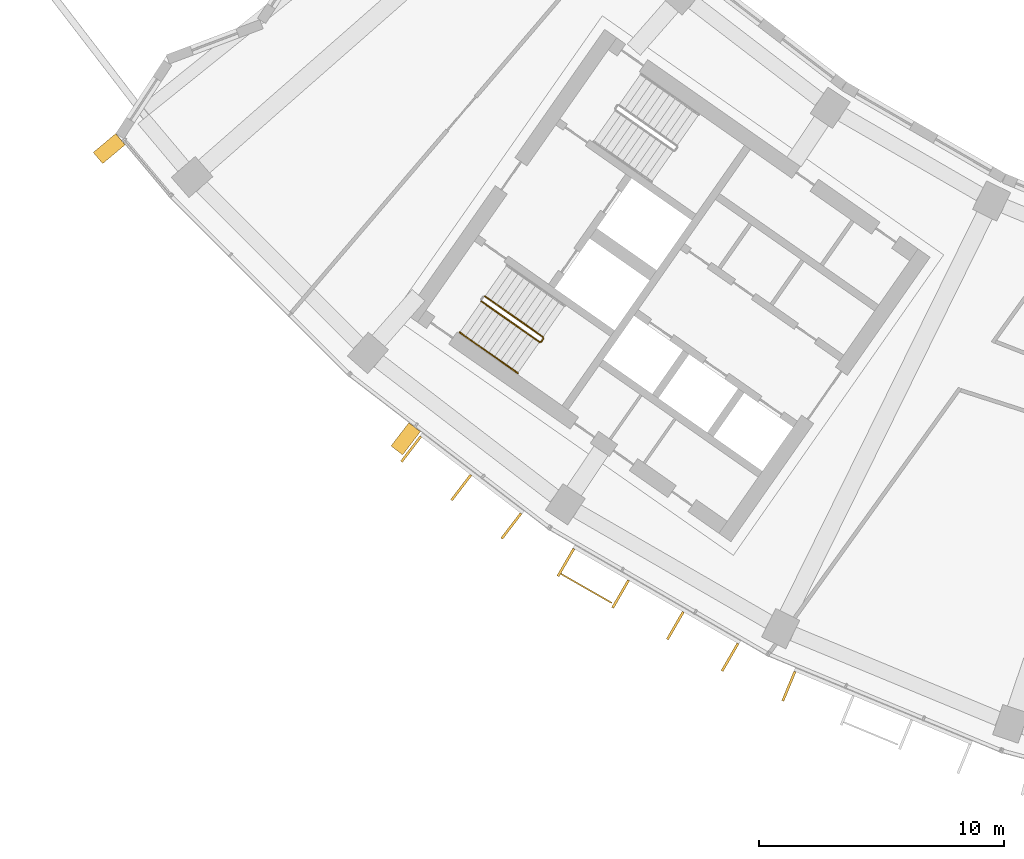
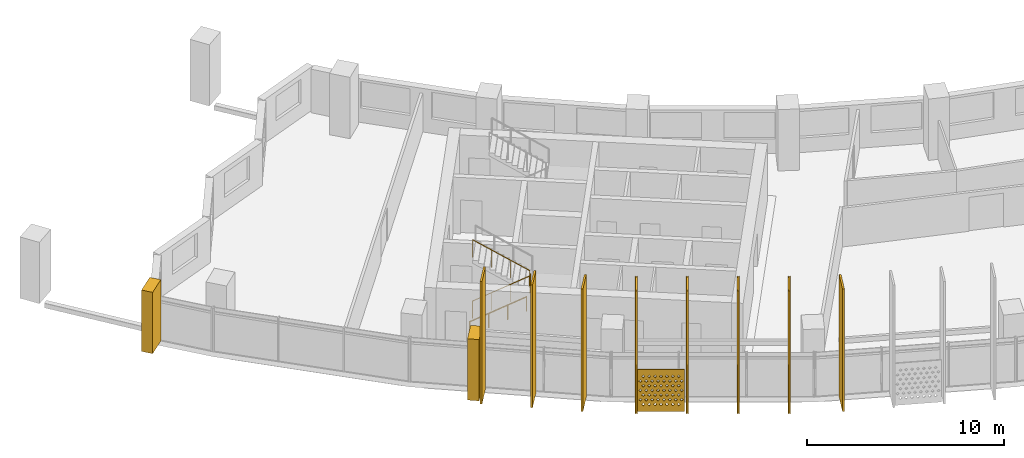
# One storey, part 23 of 27: 11 shading devices, 3 railings.
"""IFC4 building model written with IfcOpenShell, lengths in metres."""

from ifc_helpers import new_model, si_unit, direction, frame, origin, origin_2d, place, context, subcontext, project, spatial, polyline, rectangle, circle, outline, extrude, material, material_profile, profile_set, type_object, element, save


model = new_model("IFC4")

# Units and contexts
model_context = context("Model", 3, precision=1e-05, world=origin(), true_north=direction((0.0, 1.0)))
body_context = subcontext(model_context, "Body", "Model", "MODEL_VIEW")
ifc_project = project(units=[si_unit("LENGTHUNIT", "METRE"), si_unit("AREAUNIT", "SQUARE_METRE"), si_unit("VOLUMEUNIT", "CUBIC_METRE"), si_unit("PLANEANGLEUNIT", "RADIAN"), si_unit("MASSUNIT", "GRAM", prefix="KILO")], contexts=[model_context])

# Site, building, storey
site_placement = place(None, origin())
site = spatial("IfcSite", under=ifc_project, at=site_placement, CompositionType="ELEMENT")
building_placement = place(site_placement, origin())
building = spatial("IfcBuilding", under=site, at=building_placement, Name="Qamariyya Broadcast Tower", CompositionType="ELEMENT")
storey_placement = place(building_placement, frame((0.0, 0.0, 187.300048828125)))
storey = spatial("IfcBuildingStorey", under=building, at=storey_placement, Name="L44", CompositionType="ELEMENT", Elevation=187.300048828125)

# Shading devices
ifc_material_1 = material(Name="Steel S355 powder coated deep red", Category="steel")
shading_device_type_1 = type_object("IfcShadingDeviceType", Name="Deep red frame, powder coated steel box section", PredefinedType="USERDEFINED", material=ifc_material_1)
shading_device_1_placement = place(storey_placement, origin())
element("IfcShadingDevice", 1, at=shading_device_1_placement, inside=storey, type_object=shading_device_type_1, Name="e-frm-B3-F1-posta-L44", ObjectType="FRAME", PredefinedType="USERDEFINED", context=body_context, shape_type="SweptSolid", body=[
    extrude(outline(polyline([(-61.57958984375, -49.48681640625), (-62.498779296875, -50.25830078125), (-62.11279296875, -50.718017578125), (-61.19384765625, -49.9462890625), (-61.57958984375, -49.48681640625)])), origin(), (0.0, 0.0, 1.0), 3.800048828125),
])
shading_device_2_placement = place(storey_placement, origin())
element("IfcShadingDevice", 2, at=shading_device_2_placement, inside=storey, type_object=shading_device_type_1, Name="e-frm-B3-F1-postb-L44", ObjectType="FRAME", PredefinedType="USERDEFINED", context=body_context, shape_type="SweptSolid", body=[
    extrude(outline(polyline([(-49.593505859375, -61.3095703125), (-50.323974609375, -62.26171875), (-49.84814453125, -62.626953125), (-49.11767578125, -61.6748046875), (-49.593505859375, -61.3095703125)])), origin(), (0.0, 0.0, 1.0), 3.800048828125),
])
ifc_material_2 = material(Name="Perforated glazed terracotta", Category="masonry")
ifc_material_profile_1 = material_profile(ifc_material_2, outline(polyline([(-1.199951171875, -1.300048828125), (1.199951171875, -1.300048828125), (1.199951171875, 1.300048828125), (-1.199951171875, 1.300048828125), (-1.199951171875, -1.300048828125)]), holes=[polyline([(-0.81494140625, -0.86669921875), (-0.89990234375, -0.78173828125), (-0.985107421875, -0.86669921875), (-0.89990234375, -0.95166015625), (-0.81494140625, -0.86669921875)]), polyline([(-0.514892578125, -0.86669921875), (-0.60009765625, -0.78173828125), (-0.68505859375, -0.86669921875), (-0.60009765625, -0.95166015625), (-0.514892578125, -0.86669921875)]), polyline([(-0.215087890625, -0.86669921875), (-0.300048828125, -0.78173828125), (-0.385009765625, -0.86669921875), (-0.300048828125, -0.95166015625), (-0.215087890625, -0.86669921875)]), polyline([(0.0849609375, -0.86669921875), (0.0, -0.78173828125), (-0.0849609375, -0.86669921875), (0.0, -0.95166015625), (0.0849609375, -0.86669921875)]), polyline([(0.385009765625, -0.86669921875), (0.300048828125, -0.78173828125), (0.215087890625, -0.86669921875), (0.300048828125, -0.95166015625), (0.385009765625, -0.86669921875)]), polyline([(0.68505859375, -0.86669921875), (0.60009765625, -0.78173828125), (0.514892578125, -0.86669921875), (0.60009765625, -0.95166015625), (0.68505859375, -0.86669921875)]), polyline([(0.985107421875, -0.86669921875), (0.89990234375, -0.78173828125), (0.81494140625, -0.86669921875), (0.89990234375, -0.95166015625), (0.985107421875, -0.86669921875)]), polyline([(-0.965087890625, -0.577880859375), (-1.050048828125, -0.49267578125), (-1.135009765625, -0.577880859375), (-1.050048828125, -0.662841796875), (-0.965087890625, -0.577880859375)]), polyline([(-0.6650390625, -0.577880859375), (-0.75, -0.49267578125), (-0.8349609375, -0.577880859375), (-0.75, -0.662841796875), (-0.6650390625, -0.577880859375)]), polyline([(-0.364990234375, -0.577880859375), (-0.449951171875, -0.49267578125), (-0.534912109375, -0.577880859375), (-0.449951171875, -0.662841796875), (-0.364990234375, -0.577880859375)]), polyline([(-0.06494140625, -0.577880859375), (-0.14990234375, -0.49267578125), (-0.235107421875, -0.577880859375), (-0.14990234375, -0.662841796875), (-0.06494140625, -0.577880859375)]), polyline([(0.235107421875, -0.577880859375), (0.14990234375, -0.49267578125), (0.06494140625, -0.577880859375), (0.14990234375, -0.662841796875), (0.235107421875, -0.577880859375)]), polyline([(0.534912109375, -0.577880859375), (0.449951171875, -0.49267578125), (0.364990234375, -0.577880859375), (0.449951171875, -0.662841796875), (0.534912109375, -0.577880859375)]), polyline([(0.8349609375, -0.577880859375), (0.75, -0.49267578125), (0.6650390625, -0.577880859375), (0.75, -0.662841796875), (0.8349609375, -0.577880859375)]), polyline([(1.135009765625, -0.577880859375), (1.050048828125, -0.49267578125), (0.965087890625, -0.577880859375), (1.050048828125, -0.662841796875), (1.135009765625, -0.577880859375)]), polyline([(-0.81494140625, -0.288818359375), (-0.89990234375, -0.203857421875), (-0.985107421875, -0.288818359375), (-0.89990234375, -0.373779296875), (-0.81494140625, -0.288818359375)]), polyline([(-0.514892578125, -0.288818359375), (-0.60009765625, -0.203857421875), (-0.68505859375, -0.288818359375), (-0.60009765625, -0.373779296875), (-0.514892578125, -0.288818359375)]), polyline([(-0.215087890625, -0.288818359375), (-0.300048828125, -0.203857421875), (-0.385009765625, -0.288818359375), (-0.300048828125, -0.373779296875), (-0.215087890625, -0.288818359375)]), polyline([(0.0849609375, -0.288818359375), (0.0, -0.203857421875), (-0.0849609375, -0.288818359375), (0.0, -0.373779296875), (0.0849609375, -0.288818359375)]), polyline([(0.385009765625, -0.288818359375), (0.300048828125, -0.203857421875), (0.215087890625, -0.288818359375), (0.300048828125, -0.373779296875), (0.385009765625, -0.288818359375)]), polyline([(0.68505859375, -0.288818359375), (0.60009765625, -0.203857421875), (0.514892578125, -0.288818359375), (0.60009765625, -0.373779296875), (0.68505859375, -0.288818359375)]), polyline([(0.985107421875, -0.288818359375), (0.89990234375, -0.203857421875), (0.81494140625, -0.288818359375), (0.89990234375, -0.373779296875), (0.985107421875, -0.288818359375)]), polyline([(-0.965087890625, 0.0), (-1.050048828125, 0.0849609375), (-1.135009765625, 0.0), (-1.050048828125, -0.0849609375), (-0.965087890625, 0.0)]), polyline([(-0.6650390625, 0.0), (-0.75, 0.0849609375), (-0.8349609375, 0.0), (-0.75, -0.0849609375), (-0.6650390625, 0.0)]), polyline([(-0.364990234375, 0.0), (-0.449951171875, 0.0849609375), (-0.534912109375, 0.0), (-0.449951171875, -0.0849609375), (-0.364990234375, 0.0)]), polyline([(-0.06494140625, 0.0), (-0.14990234375, 0.0849609375), (-0.235107421875, 0.0), (-0.14990234375, -0.0849609375), (-0.06494140625, 0.0)]), polyline([(0.235107421875, 0.0), (0.14990234375, 0.0849609375), (0.06494140625, 0.0), (0.14990234375, -0.0849609375), (0.235107421875, 0.0)]), polyline([(0.534912109375, 0.0), (0.449951171875, 0.0849609375), (0.364990234375, 0.0), (0.449951171875, -0.0849609375), (0.534912109375, 0.0)]), polyline([(0.8349609375, 0.0), (0.75, 0.0849609375), (0.6650390625, 0.0), (0.75, -0.0849609375), (0.8349609375, 0.0)]), polyline([(1.135009765625, 0.0), (1.050048828125, 0.0849609375), (0.965087890625, 0.0), (1.050048828125, -0.0849609375), (1.135009765625, 0.0)]), polyline([(-0.81494140625, 0.288818359375), (-0.89990234375, 0.373779296875), (-0.985107421875, 0.288818359375), (-0.89990234375, 0.203857421875), (-0.81494140625, 0.288818359375)]), polyline([(-0.514892578125, 0.288818359375), (-0.60009765625, 0.373779296875), (-0.68505859375, 0.288818359375), (-0.60009765625, 0.203857421875), (-0.514892578125, 0.288818359375)]), polyline([(-0.215087890625, 0.288818359375), (-0.300048828125, 0.373779296875), (-0.385009765625, 0.288818359375), (-0.300048828125, 0.203857421875), (-0.215087890625, 0.288818359375)]), polyline([(0.0849609375, 0.288818359375), (0.0, 0.373779296875), (-0.0849609375, 0.288818359375), (0.0, 0.203857421875), (0.0849609375, 0.288818359375)]), polyline([(0.385009765625, 0.288818359375), (0.300048828125, 0.373779296875), (0.215087890625, 0.288818359375), (0.300048828125, 0.203857421875), (0.385009765625, 0.288818359375)]), polyline([(0.68505859375, 0.288818359375), (0.60009765625, 0.373779296875), (0.514892578125, 0.288818359375), (0.60009765625, 0.203857421875), (0.68505859375, 0.288818359375)]), polyline([(0.985107421875, 0.288818359375), (0.89990234375, 0.373779296875), (0.81494140625, 0.288818359375), (0.89990234375, 0.203857421875), (0.985107421875, 0.288818359375)]), polyline([(-0.965087890625, 0.577880859375), (-1.050048828125, 0.662841796875), (-1.135009765625, 0.577880859375), (-1.050048828125, 0.49267578125), (-0.965087890625, 0.577880859375)]), polyline([(-0.6650390625, 0.577880859375), (-0.75, 0.662841796875), (-0.8349609375, 0.577880859375), (-0.75, 0.49267578125), (-0.6650390625, 0.577880859375)]), polyline([(-0.364990234375, 0.577880859375), (-0.449951171875, 0.662841796875), (-0.534912109375, 0.577880859375), (-0.449951171875, 0.49267578125), (-0.364990234375, 0.577880859375)]), polyline([(-0.06494140625, 0.577880859375), (-0.14990234375, 0.662841796875), (-0.235107421875, 0.577880859375), (-0.14990234375, 0.49267578125), (-0.06494140625, 0.577880859375)]), polyline([(0.235107421875, 0.577880859375), (0.14990234375, 0.662841796875), (0.06494140625, 0.577880859375), (0.14990234375, 0.49267578125), (0.235107421875, 0.577880859375)]), polyline([(0.534912109375, 0.577880859375), (0.449951171875, 0.662841796875), (0.364990234375, 0.577880859375), (0.449951171875, 0.49267578125), (0.534912109375, 0.577880859375)]), polyline([(0.8349609375, 0.577880859375), (0.75, 0.662841796875), (0.6650390625, 0.577880859375), (0.75, 0.49267578125), (0.8349609375, 0.577880859375)]), polyline([(1.135009765625, 0.577880859375), (1.050048828125, 0.662841796875), (0.965087890625, 0.577880859375), (1.050048828125, 0.49267578125), (1.135009765625, 0.577880859375)]), polyline([(-0.81494140625, 0.86669921875), (-0.89990234375, 0.95166015625), (-0.985107421875, 0.86669921875), (-0.89990234375, 0.78173828125), (-0.81494140625, 0.86669921875)]), polyline([(-0.514892578125, 0.86669921875), (-0.60009765625, 0.95166015625), (-0.68505859375, 0.86669921875), (-0.60009765625, 0.78173828125), (-0.514892578125, 0.86669921875)]), polyline([(-0.215087890625, 0.86669921875), (-0.300048828125, 0.95166015625), (-0.385009765625, 0.86669921875), (-0.300048828125, 0.78173828125), (-0.215087890625, 0.86669921875)]), polyline([(0.0849609375, 0.86669921875), (0.0, 0.95166015625), (-0.0849609375, 0.86669921875), (0.0, 0.78173828125), (0.0849609375, 0.86669921875)]), polyline([(0.385009765625, 0.86669921875), (0.300048828125, 0.95166015625), (0.215087890625, 0.86669921875), (0.300048828125, 0.78173828125), (0.385009765625, 0.86669921875)]), polyline([(0.68505859375, 0.86669921875), (0.60009765625, 0.95166015625), (0.514892578125, 0.86669921875), (0.60009765625, 0.78173828125), (0.68505859375, 0.86669921875)]), polyline([(0.985107421875, 0.86669921875), (0.89990234375, 0.95166015625), (0.81494140625, 0.86669921875), (0.89990234375, 0.78173828125), (0.985107421875, 0.86669921875)])]))
ifc_profile_set_1 = profile_set([ifc_material_profile_1], Name="Perforated glazed terracotta")
shading_device_type_2 = type_object("IfcShadingDeviceType", Name="Perforated terracotta screen 2400 x 2600", PredefinedType="USERDEFINED", material=ifc_profile_set_1)
shading_device_3_placement = place(storey_placement, frame((-42.323974609375, -68.056884765625, 1.349853515625), z_axis=(-0.497016140981, -0.86774129532, 0.0), x_axis=(0.86774129532, -0.497016140981, 0.0)))
element("IfcShadingDevice", 3, at=shading_device_3_placement, inside=storey, type_object=shading_device_type_2, Name="e-scr-L44-03-0", ObjectType="SCREEN", PredefinedType="USERDEFINED", context=body_context, shape_type="SweptSolid", body=[
    extrude(outline(polyline([(-1.199951171875, -1.300048828125), (1.199951171875, -1.300048828125), (1.199951171875, 1.300048828125), (-1.199951171875, 1.300048828125), (-1.199951171875, -1.300048828125)]), holes=[polyline([(-0.81494140625, -0.86669921875), (-0.89990234375, -0.78173828125), (-0.985107421875, -0.86669921875), (-0.89990234375, -0.95166015625), (-0.81494140625, -0.86669921875)]), polyline([(-0.514892578125, -0.86669921875), (-0.60009765625, -0.78173828125), (-0.68505859375, -0.86669921875), (-0.60009765625, -0.95166015625), (-0.514892578125, -0.86669921875)]), polyline([(-0.215087890625, -0.86669921875), (-0.300048828125, -0.78173828125), (-0.385009765625, -0.86669921875), (-0.300048828125, -0.95166015625), (-0.215087890625, -0.86669921875)]), polyline([(0.0849609375, -0.86669921875), (0.0, -0.78173828125), (-0.0849609375, -0.86669921875), (0.0, -0.95166015625), (0.0849609375, -0.86669921875)]), polyline([(0.385009765625, -0.86669921875), (0.300048828125, -0.78173828125), (0.215087890625, -0.86669921875), (0.300048828125, -0.95166015625), (0.385009765625, -0.86669921875)]), polyline([(0.68505859375, -0.86669921875), (0.60009765625, -0.78173828125), (0.514892578125, -0.86669921875), (0.60009765625, -0.95166015625), (0.68505859375, -0.86669921875)]), polyline([(0.985107421875, -0.86669921875), (0.89990234375, -0.78173828125), (0.81494140625, -0.86669921875), (0.89990234375, -0.95166015625), (0.985107421875, -0.86669921875)]), polyline([(-0.965087890625, -0.577880859375), (-1.050048828125, -0.49267578125), (-1.135009765625, -0.577880859375), (-1.050048828125, -0.662841796875), (-0.965087890625, -0.577880859375)]), polyline([(-0.6650390625, -0.577880859375), (-0.75, -0.49267578125), (-0.8349609375, -0.577880859375), (-0.75, -0.662841796875), (-0.6650390625, -0.577880859375)]), polyline([(-0.364990234375, -0.577880859375), (-0.449951171875, -0.49267578125), (-0.534912109375, -0.577880859375), (-0.449951171875, -0.662841796875), (-0.364990234375, -0.577880859375)]), polyline([(-0.06494140625, -0.577880859375), (-0.14990234375, -0.49267578125), (-0.235107421875, -0.577880859375), (-0.14990234375, -0.662841796875), (-0.06494140625, -0.577880859375)]), polyline([(0.235107421875, -0.577880859375), (0.14990234375, -0.49267578125), (0.06494140625, -0.577880859375), (0.14990234375, -0.662841796875), (0.235107421875, -0.577880859375)]), polyline([(0.534912109375, -0.577880859375), (0.449951171875, -0.49267578125), (0.364990234375, -0.577880859375), (0.449951171875, -0.662841796875), (0.534912109375, -0.577880859375)]), polyline([(0.8349609375, -0.577880859375), (0.75, -0.49267578125), (0.6650390625, -0.577880859375), (0.75, -0.662841796875), (0.8349609375, -0.577880859375)]), polyline([(1.135009765625, -0.577880859375), (1.050048828125, -0.49267578125), (0.965087890625, -0.577880859375), (1.050048828125, -0.662841796875), (1.135009765625, -0.577880859375)]), polyline([(-0.81494140625, -0.288818359375), (-0.89990234375, -0.203857421875), (-0.985107421875, -0.288818359375), (-0.89990234375, -0.373779296875), (-0.81494140625, -0.288818359375)]), polyline([(-0.514892578125, -0.288818359375), (-0.60009765625, -0.203857421875), (-0.68505859375, -0.288818359375), (-0.60009765625, -0.373779296875), (-0.514892578125, -0.288818359375)]), polyline([(-0.215087890625, -0.288818359375), (-0.300048828125, -0.203857421875), (-0.385009765625, -0.288818359375), (-0.300048828125, -0.373779296875), (-0.215087890625, -0.288818359375)]), polyline([(0.0849609375, -0.288818359375), (0.0, -0.203857421875), (-0.0849609375, -0.288818359375), (0.0, -0.373779296875), (0.0849609375, -0.288818359375)]), polyline([(0.385009765625, -0.288818359375), (0.300048828125, -0.203857421875), (0.215087890625, -0.288818359375), (0.300048828125, -0.373779296875), (0.385009765625, -0.288818359375)]), polyline([(0.68505859375, -0.288818359375), (0.60009765625, -0.203857421875), (0.514892578125, -0.288818359375), (0.60009765625, -0.373779296875), (0.68505859375, -0.288818359375)]), polyline([(0.985107421875, -0.288818359375), (0.89990234375, -0.203857421875), (0.81494140625, -0.288818359375), (0.89990234375, -0.373779296875), (0.985107421875, -0.288818359375)]), polyline([(-0.965087890625, 0.0), (-1.050048828125, 0.0849609375), (-1.135009765625, 0.0), (-1.050048828125, -0.0849609375), (-0.965087890625, 0.0)]), polyline([(-0.6650390625, 0.0), (-0.75, 0.0849609375), (-0.8349609375, 0.0), (-0.75, -0.0849609375), (-0.6650390625, 0.0)]), polyline([(-0.364990234375, 0.0), (-0.449951171875, 0.0849609375), (-0.534912109375, 0.0), (-0.449951171875, -0.0849609375), (-0.364990234375, 0.0)]), polyline([(-0.06494140625, 0.0), (-0.14990234375, 0.0849609375), (-0.235107421875, 0.0), (-0.14990234375, -0.0849609375), (-0.06494140625, 0.0)]), polyline([(0.235107421875, 0.0), (0.14990234375, 0.0849609375), (0.06494140625, 0.0), (0.14990234375, -0.0849609375), (0.235107421875, 0.0)]), polyline([(0.534912109375, 0.0), (0.449951171875, 0.0849609375), (0.364990234375, 0.0), (0.449951171875, -0.0849609375), (0.534912109375, 0.0)]), polyline([(0.8349609375, 0.0), (0.75, 0.0849609375), (0.6650390625, 0.0), (0.75, -0.0849609375), (0.8349609375, 0.0)]), polyline([(1.135009765625, 0.0), (1.050048828125, 0.0849609375), (0.965087890625, 0.0), (1.050048828125, -0.0849609375), (1.135009765625, 0.0)]), polyline([(-0.81494140625, 0.288818359375), (-0.89990234375, 0.373779296875), (-0.985107421875, 0.288818359375), (-0.89990234375, 0.203857421875), (-0.81494140625, 0.288818359375)]), polyline([(-0.514892578125, 0.288818359375), (-0.60009765625, 0.373779296875), (-0.68505859375, 0.288818359375), (-0.60009765625, 0.203857421875), (-0.514892578125, 0.288818359375)]), polyline([(-0.215087890625, 0.288818359375), (-0.300048828125, 0.373779296875), (-0.385009765625, 0.288818359375), (-0.300048828125, 0.203857421875), (-0.215087890625, 0.288818359375)]), polyline([(0.0849609375, 0.288818359375), (0.0, 0.373779296875), (-0.0849609375, 0.288818359375), (0.0, 0.203857421875), (0.0849609375, 0.288818359375)]), polyline([(0.385009765625, 0.288818359375), (0.300048828125, 0.373779296875), (0.215087890625, 0.288818359375), (0.300048828125, 0.203857421875), (0.385009765625, 0.288818359375)]), polyline([(0.68505859375, 0.288818359375), (0.60009765625, 0.373779296875), (0.514892578125, 0.288818359375), (0.60009765625, 0.203857421875), (0.68505859375, 0.288818359375)]), polyline([(0.985107421875, 0.288818359375), (0.89990234375, 0.373779296875), (0.81494140625, 0.288818359375), (0.89990234375, 0.203857421875), (0.985107421875, 0.288818359375)]), polyline([(-0.965087890625, 0.577880859375), (-1.050048828125, 0.662841796875), (-1.135009765625, 0.577880859375), (-1.050048828125, 0.49267578125), (-0.965087890625, 0.577880859375)]), polyline([(-0.6650390625, 0.577880859375), (-0.75, 0.662841796875), (-0.8349609375, 0.577880859375), (-0.75, 0.49267578125), (-0.6650390625, 0.577880859375)]), polyline([(-0.364990234375, 0.577880859375), (-0.449951171875, 0.662841796875), (-0.534912109375, 0.577880859375), (-0.449951171875, 0.49267578125), (-0.364990234375, 0.577880859375)]), polyline([(-0.06494140625, 0.577880859375), (-0.14990234375, 0.662841796875), (-0.235107421875, 0.577880859375), (-0.14990234375, 0.49267578125), (-0.06494140625, 0.577880859375)]), polyline([(0.235107421875, 0.577880859375), (0.14990234375, 0.662841796875), (0.06494140625, 0.577880859375), (0.14990234375, 0.49267578125), (0.235107421875, 0.577880859375)]), polyline([(0.534912109375, 0.577880859375), (0.449951171875, 0.662841796875), (0.364990234375, 0.577880859375), (0.449951171875, 0.49267578125), (0.534912109375, 0.577880859375)]), polyline([(0.8349609375, 0.577880859375), (0.75, 0.662841796875), (0.6650390625, 0.577880859375), (0.75, 0.49267578125), (0.8349609375, 0.577880859375)]), polyline([(1.135009765625, 0.577880859375), (1.050048828125, 0.662841796875), (0.965087890625, 0.577880859375), (1.050048828125, 0.49267578125), (1.135009765625, 0.577880859375)]), polyline([(-0.81494140625, 0.86669921875), (-0.89990234375, 0.95166015625), (-0.985107421875, 0.86669921875), (-0.89990234375, 0.78173828125), (-0.81494140625, 0.86669921875)]), polyline([(-0.514892578125, 0.86669921875), (-0.60009765625, 0.95166015625), (-0.68505859375, 0.86669921875), (-0.60009765625, 0.78173828125), (-0.514892578125, 0.86669921875)]), polyline([(-0.215087890625, 0.86669921875), (-0.300048828125, 0.95166015625), (-0.385009765625, 0.86669921875), (-0.300048828125, 0.78173828125), (-0.215087890625, 0.86669921875)]), polyline([(0.0849609375, 0.86669921875), (0.0, 0.95166015625), (-0.0849609375, 0.86669921875), (0.0, 0.78173828125), (0.0849609375, 0.86669921875)]), polyline([(0.385009765625, 0.86669921875), (0.300048828125, 0.95166015625), (0.215087890625, 0.86669921875), (0.300048828125, 0.78173828125), (0.385009765625, 0.86669921875)]), polyline([(0.68505859375, 0.86669921875), (0.60009765625, 0.95166015625), (0.514892578125, 0.86669921875), (0.60009765625, 0.78173828125), (0.68505859375, 0.86669921875)]), polyline([(0.985107421875, 0.86669921875), (0.89990234375, 0.95166015625), (0.81494140625, 0.86669921875), (0.89990234375, 0.78173828125), (0.985107421875, 0.86669921875)])]), origin(), (0.0, 0.0, 1.0), 0.059814453125),
])

# Railings
ifc_material_3 = material(Name="Painted steel", Category="steel")
railing_type_1 = type_object("IfcRailingType", Name="Stair guard", PredefinedType="GUARDRAIL", material=ifc_material_3)
railing_1_placement = place(storey_placement, frame((-46.624267578125, -56.34765625, 0.172607421875)))
element("IfcRailing", 4, at=railing_1_placement, inside=storey, type_object=railing_type_1, Name="L44 ST-W1 stair guard 1", PredefinedType="GUARDRAIL", context=body_context, shape_type="SweptSolid", body=[
    extrude(circle(Radius=0.02392578125, at=origin_2d()), frame((0.0, 0.0, 1.076171875), z_axis=(0.703745009021, -0.492838488332, 0.511715923826), x_axis=(0.573631830683, 0.819113253969, 0.0)), (0.0, 0.0, 1.0), 3.37548828125),
    extrude(circle(Radius=0.02392578125, at=origin_2d()), frame((2.37548828125, -1.66357421875, 2.80322265625), z_axis=(0.984363469884, 0.176149252506, 0.0), x_axis=(-0.176149252506, 0.984363469884, 0.0)), (0.0, 0.0, 1.0), 0.07080078125),
    extrude(circle(Radius=0.02392578125, at=origin_2d()), frame((2.445068359375, -1.651123046875, 2.80322265625), z_axis=(0.574444878118, 0.818543268254, 0.0), x_axis=(-0.818543268254, 0.574444878118, 0.0)), (0.0, 0.0, 1.0), 0.150146484375),
    extrude(circle(Radius=0.02099609375, at=origin_2d()), origin(), (0.0, 0.0, 1.0), 1.052001953125),
    extrude(circle(Radius=0.02099609375, at=origin_2d()), frame((0.791748046875, -0.554443359375, 0.57568359375)), (0.0, 0.0, 1.0), 1.052001953125),
    extrude(circle(Radius=0.02099609375, at=origin_2d()), frame((1.583740234375, -1.109130859375, 1.151611328125)), (0.0, 0.0, 1.0), 1.052001953125),
    extrude(circle(Radius=0.02099609375, at=origin_2d()), frame((2.37548828125, -1.66357421875, 1.727294921875)), (0.0, 0.0, 1.0), 1.052001953125),
    extrude(circle(Radius=0.02099609375, at=origin_2d()), frame((2.445068359375, -1.651123046875, 1.727294921875)), (0.0, 0.0, 1.0), 1.052001953125),
    extrude(circle(Radius=0.02099609375, at=origin_2d()), frame((2.53125, -1.5283203125, 1.727294921875)), (0.0, 0.0, 1.0), 1.052001953125),
])
railing_2_placement = place(storey_placement, frame((-44.10546875, -57.806396484375, 2.07275390625)))
element("IfcRailing", 5, at=railing_2_placement, inside=storey, type_object=railing_type_1, Name="L44 ST-W1 stair guard 2", PredefinedType="GUARDRAIL", context=body_context, shape_type="SweptSolid", body=[
    extrude(circle(Radius=0.02392578125, at=origin_2d()), frame((0.0, 0.0, 1.076171875), z_axis=(-0.703770094002, 0.492783725636, 0.511734163933), x_axis=(-0.573575343427, -0.819152809562, 0.0)), (0.0, 0.0, 1.0), 3.37548828125),
    extrude(circle(Radius=0.02099609375, at=origin_2d()), origin(), (0.0, 0.0, 1.0), 1.052001953125),
    extrude(circle(Radius=0.02099609375, at=origin_2d()), frame((-0.791748046875, 0.554443359375, 0.57568359375)), (0.0, 0.0, 1.0), 1.052001953125),
    extrude(circle(Radius=0.02099609375, at=origin_2d()), frame((-1.583740234375, 1.10888671875, 1.151611328125)), (0.0, 0.0, 1.0), 1.052001953125),
    extrude(circle(Radius=0.02099609375, at=origin_2d()), frame((-2.37548828125, 1.663330078125, 1.727294921875)), (0.0, 0.0, 1.0), 1.052001953125),
])
ifc_material_4 = material(Name="Stainless steel", Category="steel")
railing_type_2 = type_object("IfcRailingType", Name="Stair handrail", PredefinedType="HANDRAIL", material=ifc_material_4)
railing_3_placement = place(storey_placement, frame((-47.513427734375, -57.617431640625, 0.172607421875)))
element("IfcRailing", 6, at=railing_3_placement, inside=storey, type_object=railing_type_2, Name="L44 ST-W1 stair handrail 1", PredefinedType="HANDRAIL", context=body_context, shape_type="SweptSolid", body=[
    extrude(circle(Radius=0.02392578125, at=origin_2d()), frame((0.0, 0.0, 0.8759765625), z_axis=(0.703770094002, -0.492783725636, 0.511734163933), x_axis=(0.573575343427, 0.819152809562, 0.0)), (0.0, 0.0, 1.0), 3.37548828125),
    extrude(circle(Radius=0.02099609375, at=origin_2d()), origin(), (0.0, 0.0, 1.0), 0.851806640625),
    extrude(circle(Radius=0.02099609375, at=origin_2d()), frame((0.791748046875, -0.554443359375, 0.57568359375)), (0.0, 0.0, 1.0), 0.851806640625),
    extrude(circle(Radius=0.02099609375, at=origin_2d()), frame((1.583740234375, -1.10888671875, 1.151611328125)), (0.0, 0.0, 1.0), 0.851806640625),
    extrude(circle(Radius=0.02099609375, at=origin_2d()), frame((2.37548828125, -1.663330078125, 1.727294921875)), (0.0, 0.0, 1.0), 0.851806640625),
])

# Shading devices
ifc_material_5 = material(Name="Glazed terracotta", Category="masonry")
ifc_material_profile_2 = material_profile(ifc_material_5, rectangle(XDim=1.300048828125, YDim=0.10009765625, at=origin_2d()))
ifc_profile_set_2 = profile_set([ifc_material_profile_2], Name="Glazed terracotta")
shading_device_type_3 = type_object("IfcShadingDeviceType", Name="Terracotta fin 100 x 1300", PredefinedType="USERDEFINED", material=ifc_profile_set_2)
for number, where, z_axis, x_axis, name in (
    (7, (-49.5009765625, -62.38916015625, 0.0), (0.0, 0.0, 1.0), (-0.608761429009, -0.793353340291, 0.0), "e-fin-L44-02-1"),
    (8, (-47.451416015625, -63.961669921875, 0.0), (0.0, 0.0, 1.0), (-0.608761429009, -0.793353340291, 0.0), "e-fin-L44-02-2"),
    (9, (-45.40185546875, -65.534423828125, 0.0), (0.0, 0.0, 1.0), (-0.608761429009, -0.793353340291, 0.0), "e-fin-L44-02-3"),
    (10, (-43.17138671875, -67.024658203125, 0.0), (0.0, 0.0, 1.0), (-0.5, -0.866025403784, 0.0), "e-fin-L44-03-0"),
    (11, (-40.93408203125, -68.31640625, 0.0), (0.0, 0.0, 1.0), (-0.5, -0.866025403784, 0.0), "e-fin-L44-03-1"),
    (12, (-38.69677734375, -69.608154296875, 0.0), (0.0, 0.0, 1.0), (-0.5, -0.866025403784, 0.0), "e-fin-L44-03-2"),
    (13, (-36.45947265625, -70.89990234375, 0.0), (0.0, 0.0, 1.0), (-0.5, -0.866025403784, 0.0), "e-fin-L44-03-3"),
    (14, (-34.053466796875, -72.08642578125, 0.0), (0.0, 0.0, 1.0), (-0.382683432365, -0.923879532511, 0.0), "e-fin-L44-04-0"),
):
    element("IfcShadingDevice", number, at=place(storey_placement, frame(where, z_axis=z_axis, x_axis=x_axis)), inside=storey, type_object=shading_device_type_3, Name=name, ObjectType="FIN", PredefinedType="USERDEFINED", context=body_context, shape_type="SweptSolid", body=[
        extrude(rectangle(XDim=1.300048828125, YDim=0.10009765625, at=origin_2d()), origin(), (0.0, 0.0, 1.0), 7.599853515625),
    ])

save(model, "model.ifc")
